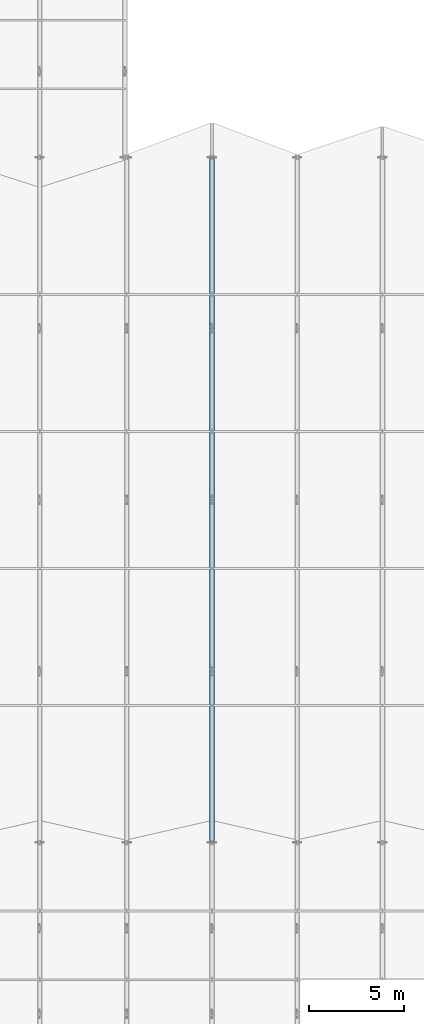
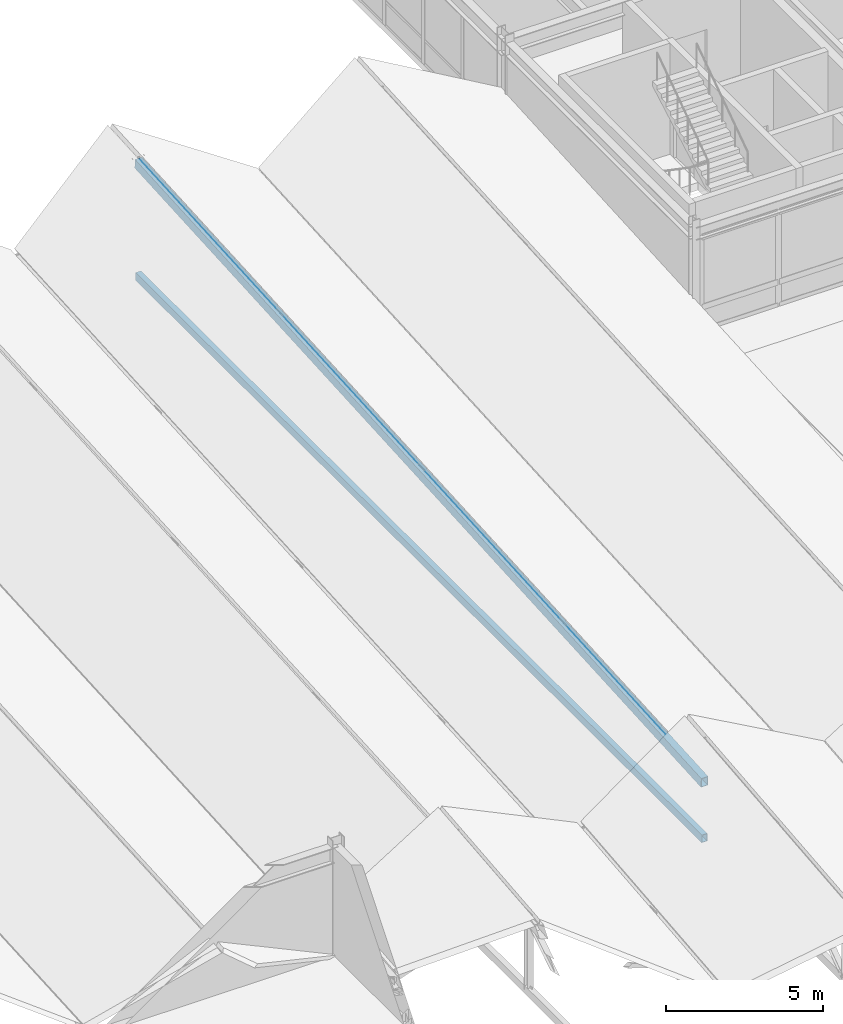
# One storey, part 52 of 142: 2 members.
"""IFC4 building model written with IfcOpenShell, lengths in metres."""

from ifc_helpers import new_model, si_unit, direction, frame, origin, origin_2d, place, context, subcontext, project, spatial, hollow_rectangle, extrude, material, material_profile, profile_set, type_object, element, save


model = new_model("IFC4")

# Units and contexts
model_context = context("Model", 3, precision=1e-05, world=origin(), true_north=direction((0.0, 1.0)))
body_context = subcontext(model_context, "Body", "Model", "MODEL_VIEW")
ifc_project = project(units=[si_unit("LENGTHUNIT", "METRE"), si_unit("AREAUNIT", "SQUARE_METRE"), si_unit("VOLUMEUNIT", "CUBIC_METRE"), si_unit("PLANEANGLEUNIT", "RADIAN"), si_unit("MASSUNIT", "GRAM", prefix="KILO")], contexts=[model_context])

# Site, building, storey
site_placement = place(None, origin())
site = spatial("IfcSite", under=ifc_project, at=site_placement, CompositionType="ELEMENT")
building_placement = place(site_placement, origin())
building = spatial("IfcBuilding", under=site, at=building_placement, Name="Montelvaro Courts of Justice", CompositionType="ELEMENT")
storey_placement = place(building_placement, frame((0.0, 0.0, 14.39990234375)))
storey = spatial("IfcBuildingStorey", under=building, at=storey_placement, Name="L03", CompositionType="ELEMENT", Elevation=14.39990234375)

# Members
ifc_material = material(Name="Steel S355", Category="steel")
ifc_material_profile_1 = material_profile(ifc_material, hollow_rectangle(XDim=0.199951171875, YDim=0.300048828125, WallThickness=0.012451171875, at=origin_2d()), Name="RHS 300x200x12.5")
ifc_profile_set_1 = profile_set([ifc_material_profile_1], Name="Steel S355")
member_type_1 = type_object("IfcMemberType", Name="Mem_RHS300_Chord", PredefinedType="CHORD", material=ifc_profile_set_1)
member_1_placement = place(storey_placement, frame((85.52490234375, 42.0, -0.2998046875), z_axis=(0.0, 1.0, 0.0), x_axis=(-1.0, 0.0, 0.0)))
element("IfcMember", 1, at=member_1_placement, inside=storey, type_object=member_type_1, Name="Roof Truss ROOF-PASSAGE-RTR04 Bottom Chord", PredefinedType="CHORD", context=body_context, shape_type="SweptSolid", body=[
    extrude(hollow_rectangle(XDim=0.199951171875, YDim=0.300048828125, WallThickness=0.012451171875, at=origin_2d()), origin(), (0.0, 0.0, 1.0), 36.0),
])
ifc_material_profile_2 = material_profile(ifc_material, hollow_rectangle(XDim=0.25, YDim=0.35009765625, WallThickness=0.012451171875, at=origin_2d()), Name="RHS 350x250x12.5")
ifc_profile_set_2 = profile_set([ifc_material_profile_2], Name="Steel S355")
member_type_2 = type_object("IfcMemberType", Name="Mem_RHS350_Chord", PredefinedType="CHORD", material=ifc_profile_set_2)
member_2_placement = place(storey_placement, frame((85.52490234375, 42.0, 1.880126953125), z_axis=(0.0, 0.998138012374, 0.060995969167), x_axis=(-1.0, 0.0, 0.0)))
element("IfcMember", 2, at=member_2_placement, inside=storey, type_object=member_type_2, Name="Roof Truss ROOF-PASSAGE-RTR04 Top Chord", PredefinedType="CHORD", context=body_context, shape_type="SweptSolid", body=[
    extrude(hollow_rectangle(XDim=0.25, YDim=0.35009765625, WallThickness=0.012451171875, at=origin_2d()), origin(), (0.0, 0.0, 1.0), 36.067138671875),
])

save(model, "model.ifc")
